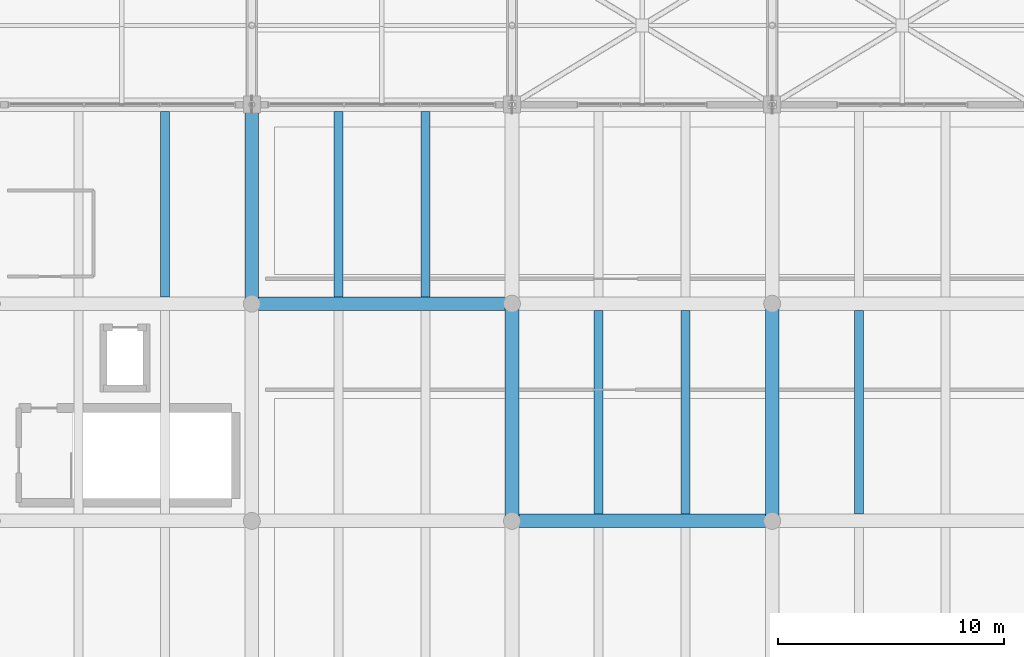
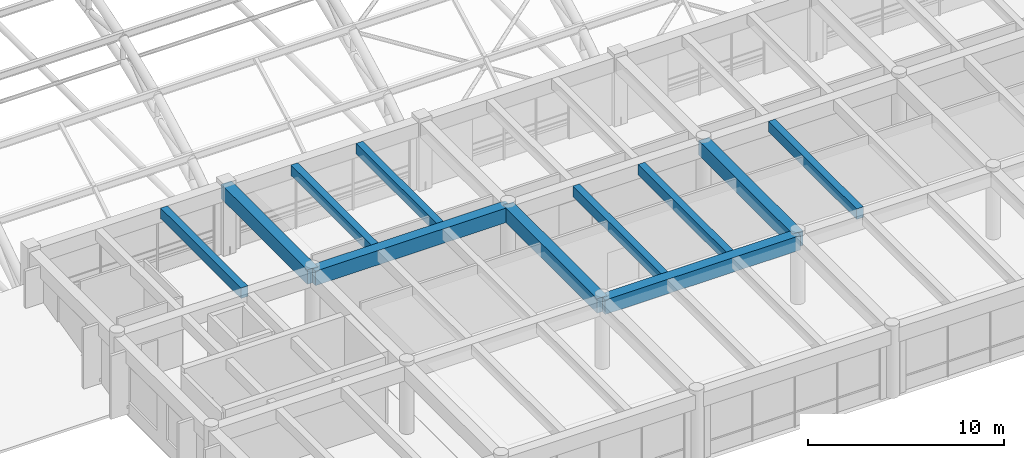
# One storey, part 33 of 154: 11 beams.
"""IFC4 building model written with IfcOpenShell, lengths in metres."""

from ifc_helpers import new_model, si_unit, direction, frame, origin, origin_2d, place, context, subcontext, project, spatial, rectangle, extrude, material, material_profile, profile_set, type_object, element, save


model = new_model("IFC4")

# Units and contexts
model_context = context("Model", 3, precision=1e-05, world=origin(), true_north=direction((0.0, 1.0)))
body_context = subcontext(model_context, "Body", "Model", "MODEL_VIEW")
ifc_project = project(units=[si_unit("LENGTHUNIT", "METRE"), si_unit("AREAUNIT", "SQUARE_METRE"), si_unit("VOLUMEUNIT", "CUBIC_METRE"), si_unit("PLANEANGLEUNIT", "RADIAN"), si_unit("MASSUNIT", "GRAM", prefix="KILO")], contexts=[model_context])

# Site, building, storey
site_placement = place(None, origin())
site = spatial("IfcSite", under=ifc_project, at=site_placement, CompositionType="ELEMENT")
building_placement = place(site_placement, origin())
building = spatial("IfcBuilding", under=site, at=building_placement, Name="Ologun Quay Terminus", CompositionType="ELEMENT")
storey_placement = place(building_placement, frame((0.0, 0.0, 13.800048828125)))
storey = spatial("IfcBuildingStorey", under=building, at=storey_placement, Name="L03", CompositionType="ELEMENT", Elevation=13.800048828125)

# Beams
ifc_material_1 = material(Name="Concrete C40/50", Category="concrete")
ifc_material_profile_1 = material_profile(ifc_material_1, rectangle(XDim=0.60009765625, YDim=0.89990234375, at=origin_2d()), Name="RC 600x900")
ifc_profile_set_1 = profile_set([ifc_material_profile_1], Name="Concrete C40/50")
beam_type_1 = type_object("IfcBeamType", Name="Station Frame Girder 600x900", PredefinedType="BEAM", material=ifc_profile_set_1)
for number, where, z_axis, x_axis, name in (
    (1, (80.5, 17.60009765625, 3.800048828125), (1.0, 0.0, 0.0), (0.0, 1.0, 0.0), "B3 Beam 8/C L03"),
    (2, (69.0, 27.199951171875, 3.800048828125), (1.0, 0.0, 0.0), (0.0, 1.0, 0.0), "B3 Beam 7/D L03"),
):
    element("IfcBeam", number, at=place(storey_placement, frame(where, z_axis=z_axis, x_axis=x_axis)), inside=storey, type_object=beam_type_1, Name=name, PredefinedType="BEAM", context=body_context, shape_type="SweptSolid", body=[
        extrude(rectangle(XDim=0.60009765625, YDim=0.89990234375, at=origin_2d()), origin(), (0.0, 0.0, 1.0), 11.5),
    ])
beam_placement = place(storey_placement, frame((69.0, 27.199951171875, 3.800048828125), z_axis=(0.0, 1.0, 0.0), x_axis=(-1.0, 0.0, 0.0)))
element("IfcBeam", 3, at=beam_placement, inside=storey, type_object=beam_type_1, Name="B3 Beam 7/D L03", PredefinedType="BEAM", context=body_context, shape_type="SweptSolid", body=[
    extrude(rectangle(XDim=0.60009765625, YDim=0.89990234375, at=origin_2d()), origin(), (0.0, 0.0, 1.0), 8.800048828125),
])
for number, where, z_axis, x_axis, name in (
    (4, (80.5, 17.60009765625, 3.800048828125), (0.0, 1.0, 0.0), (-1.0, 0.0, 0.0), "B3 Beam 8/C L03"),
    (5, (92.0, 17.60009765625, 3.800048828125), (0.0, 1.0, 0.0), (-1.0, 0.0, 0.0), "B3 Beam 9/C L03"),
):
    element("IfcBeam", number, at=place(storey_placement, frame(where, z_axis=z_axis, x_axis=x_axis)), inside=storey, type_object=beam_type_1, Name=name, PredefinedType="BEAM", context=body_context, shape_type="SweptSolid", body=[
        extrude(rectangle(XDim=0.60009765625, YDim=0.89990234375, at=origin_2d()), origin(), (0.0, 0.0, 1.0), 9.599853515625),
    ])
ifc_material_2 = material(Name="Concrete C40/50", Category="concrete")
ifc_material_profile_2 = material_profile(ifc_material_2, rectangle(XDim=0.39990234375, YDim=0.64990234375, at=origin_2d()), Name="RC 400x650")
ifc_profile_set_2 = profile_set([ifc_material_profile_2], Name="Concrete C40/50")
beam_type_2 = type_object("IfcBeamType", Name="Station Secondary Joist 400x650", PredefinedType="JOIST", material=ifc_profile_set_2)
for number, where, z_axis, x_axis, name in (
    (6, (65.166748046875, 27.5, 3.925048828125), (0.0, 1.0, 0.0), (-1.0, 0.0, 0.0), "J1 Beam 6/D L03"),
    (7, (72.833251953125, 27.5, 3.925048828125), (0.0, 1.0, 0.0), (-1.0, 0.0, 0.0), "J1 Beam 7/D L03"),
    (8, (76.666748046875, 27.5, 3.925048828125), (0.0, 1.0, 0.0), (-1.0, 0.0, 0.0), "J1 Beam 7/D L03"),
):
    element("IfcBeam", number, at=place(storey_placement, frame(where, z_axis=z_axis, x_axis=x_axis)), inside=storey, type_object=beam_type_2, Name=name, PredefinedType="JOIST", context=body_context, shape_type="SweptSolid", body=[
        extrude(rectangle(XDim=0.39990234375, YDim=0.64990234375, at=origin_2d()), origin(), (0.0, 0.0, 1.0), 8.199951171875),
    ])
for number, where, z_axis, x_axis, name in (
    (9, (84.333251953125, 17.89990234375, 3.925048828125), (0.0, 1.0, 0.0), (-1.0, 0.0, 0.0), "J1 Beam 8/C L03"),
    (10, (88.166748046875, 17.89990234375, 3.925048828125), (0.0, 1.0, 0.0), (-1.0, 0.0, 0.0), "J1 Beam 8/C L03"),
    (11, (95.833251953125, 17.89990234375, 3.925048828125), (0.0, 1.0, 0.0), (-1.0, 0.0, 0.0), "J1 Beam 9/C L03"),
):
    element("IfcBeam", number, at=place(storey_placement, frame(where, z_axis=z_axis, x_axis=x_axis)), inside=storey, type_object=beam_type_2, Name=name, PredefinedType="JOIST", context=body_context, shape_type="SweptSolid", body=[
        extrude(rectangle(XDim=0.39990234375, YDim=0.64990234375, at=origin_2d()), origin(), (0.0, 0.0, 1.0), 9.0),
    ])

save(model, "model.ifc")
